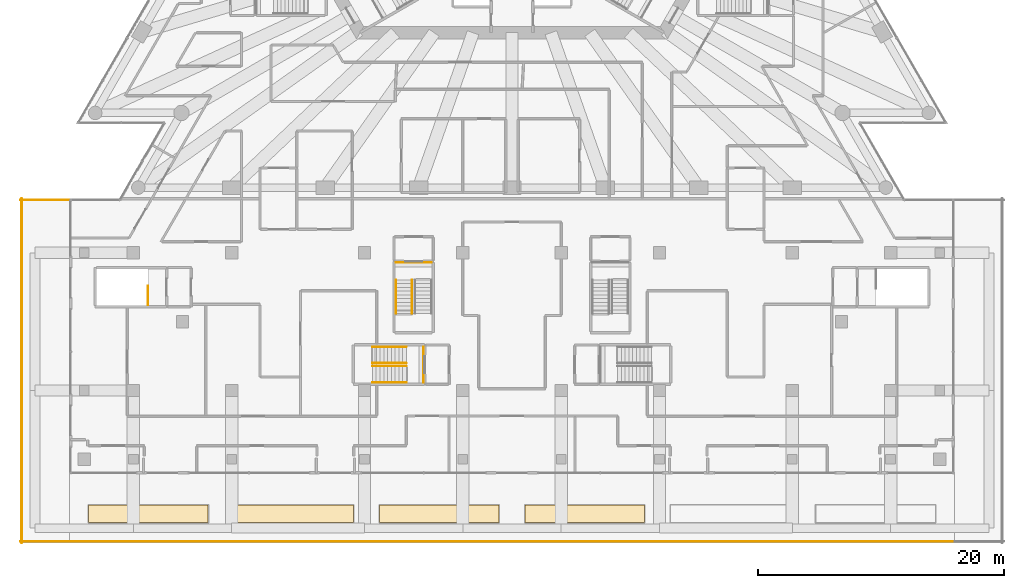
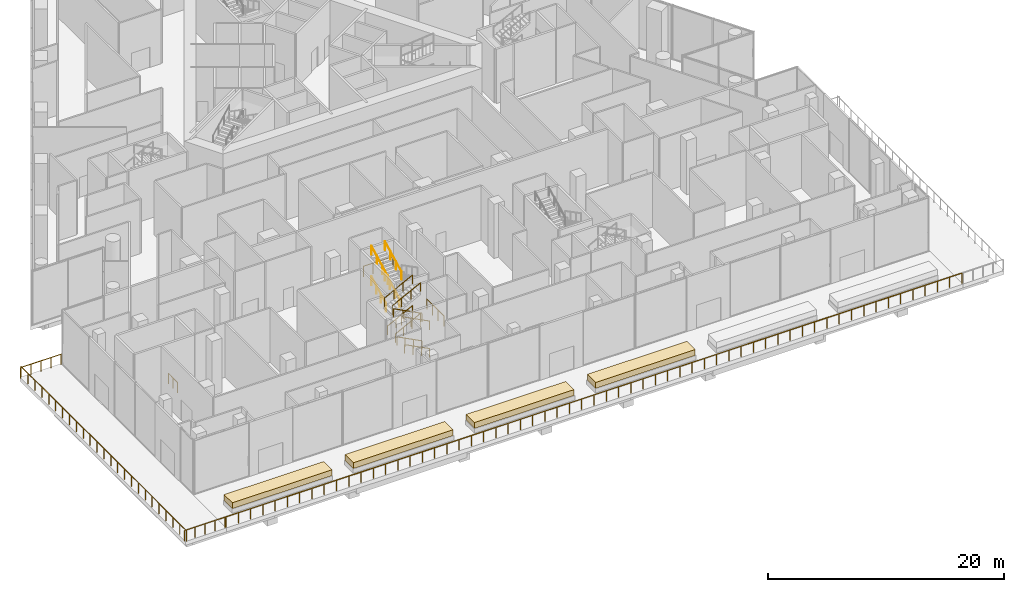
# One storey, part 33 of 36: 19 railings, 4 coverings, 2 elements without a shape of their own.
"""IFC4 building model written with IfcOpenShell, lengths in metres."""

from ifc_helpers import new_model, si_unit, direction, frame, origin, origin_2d, place, context, subcontext, project, spatial, polyline, circle, outline, extrude, material, layer, layer_set, type_object, element, aggregate, save


model = new_model("IFC4")

# Units and contexts
model_context = context("Model", 3, precision=1e-05, world=origin(), true_north=direction((0.0, 1.0)))
body_context = subcontext(model_context, "Body", "Model", "MODEL_VIEW")
ifc_project = project(units=[si_unit("LENGTHUNIT", "METRE"), si_unit("AREAUNIT", "SQUARE_METRE"), si_unit("VOLUMEUNIT", "CUBIC_METRE"), si_unit("PLANEANGLEUNIT", "RADIAN"), si_unit("MASSUNIT", "GRAM", prefix="KILO")], contexts=[model_context])

# Site, building, storey
site_placement = place(None, origin())
site = spatial("IfcSite", under=ifc_project, at=site_placement, CompositionType="ELEMENT")
building_placement = place(site_placement, origin())
building = spatial("IfcBuilding", under=site, at=building_placement, Name="Triada Interchange Tower", CompositionType="ELEMENT")
storey_placement = place(building_placement, frame((0.0, 0.0, 8.5)))
storey = spatial("IfcBuildingStorey", under=building, at=storey_placement, Name="L01", CompositionType="ELEMENT", Elevation=8.5)

# Coverings
ifc_material_1 = material(Name="Planting soil")
ifc_layer = layer(ifc_material_1, 0.60009765625)
ifc_layer_set = layer_set([ifc_layer], Name="Planting bed 600")
covering_type = type_object("IfcCoveringType", Name="Planting bed 600", PredefinedType="FLOORING", material=ifc_layer_set)
covering_1_placement = place(storey_placement, frame((0.0, 0.0, 0.449951171875)))
element("IfcCovering", 1, at=covering_1_placement, inside=storey, type_object=covering_type, Name="Planting bed PLANTER L01 01", PredefinedType="FLOORING", context=body_context, shape_type="SweptSolid", body=[
    extrude(outline(polyline([(-34.449951171875, -48.830078125), (-24.717041015625, -48.830078125), (-24.717041015625, -47.429931640625), (-34.449951171875, -47.429931640625), (-34.449951171875, -48.830078125)])), origin(), (0.0, 0.0, 1.0), 0.60009765625),
])
covering_2_placement = place(storey_placement, frame((0.0, 0.0, 0.449951171875)))
element("IfcCovering", 2, at=covering_2_placement, inside=storey, type_object=covering_type, Name="Planting bed PLANTER L01 02", PredefinedType="FLOORING", context=body_context, shape_type="SweptSolid", body=[
    extrude(outline(polyline([(-22.616943359375, -48.830078125), (-12.883056640625, -48.830078125), (-12.883056640625, -47.429931640625), (-22.616943359375, -47.429931640625), (-22.616943359375, -48.830078125)])), origin(), (0.0, 0.0, 1.0), 0.60009765625),
])
covering_3_placement = place(storey_placement, frame((0.0, 0.0, 0.449951171875)))
element("IfcCovering", 3, at=covering_3_placement, inside=storey, type_object=covering_type, Name="Planting bed PLANTER L01 03", PredefinedType="FLOORING", context=body_context, shape_type="SweptSolid", body=[
    extrude(outline(polyline([(-10.782958984375, -48.830078125), (-1.050048828125, -48.830078125), (-1.050048828125, -47.429931640625), (-10.782958984375, -47.429931640625), (-10.782958984375, -48.830078125)])), origin(), (0.0, 0.0, 1.0), 0.60009765625),
])
covering_4_placement = place(storey_placement, frame((0.0, 0.0, 0.449951171875)))
element("IfcCovering", 4, at=covering_4_placement, inside=storey, type_object=covering_type, Name="Planting bed PLANTER L01 04", PredefinedType="FLOORING", context=body_context, shape_type="SweptSolid", body=[
    extrude(outline(polyline([(1.050048828125, -48.830078125), (10.782958984375, -48.830078125), (10.782958984375, -47.429931640625), (1.050048828125, -47.429931640625), (1.050048828125, -48.830078125)])), origin(), (0.0, 0.0, 1.0), 0.60009765625),
])

# Stair, railing
ifc_material_2 = material(Name="Concrete C35/45", Category="concrete")
stair_type = type_object("IfcStairType", Name="HALF TURN STAIR 1400", PredefinedType="HALF_TURN_STAIR", material=ifc_material_2)
stair_1_placement = place(storey_placement, origin())
stair_1 = element("IfcStair", 5, at=stair_1_placement, inside=storey, type_object=stair_type, Name="Exit stair S01-4", PredefinedType="HALF_TURN_STAIR")
ifc_material_3 = material(Name="Stainless steel 1.4301", Category="steel")
railing_type_1 = type_object("IfcRailingType", Name="STAIR GUARD 1100", PredefinedType="GUARDRAIL", material=ifc_material_3)
railing_1_placement = place(storey_placement, frame((-7.199951171875, -37.449951171875, 2.842041015625)))
railing_1 = element("IfcRailing", 6, at=railing_1_placement, type_object=railing_type_1, Name="Guard S01-4 1", PredefinedType="GUARDRAIL", context=body_context, shape_type="SweptSolid", body=[
    extrude(circle(Radius=0.02392578125, at=origin_2d()), frame((0.0, 0.0, 1.076171875), z_axis=(0.0, 1.0, 0.0), x_axis=(-1.0, 0.0, 0.0)), (0.0, 0.0, 1.0), 2.89990234375),
    extrude(circle(Radius=0.02099609375, at=origin_2d()), origin(), (0.0, 0.0, 1.0), 1.052001953125),
    extrude(circle(Radius=0.02099609375, at=origin_2d()), frame((0.0, 0.966552734375, 0.0)), (0.0, 0.0, 1.0), 1.052001953125),
    extrude(circle(Radius=0.02099609375, at=origin_2d()), frame((0.0, 1.933349609375, 0.0)), (0.0, 0.0, 1.0), 1.052001953125),
    extrude(circle(Radius=0.02099609375, at=origin_2d()), frame((0.0, 2.89990234375, 0.0)), (0.0, 0.0, 1.0), 1.052001953125),
])

stair_2_placement = place(storey_placement, origin())
stair_2 = element("IfcStair", 7, at=stair_2_placement, inside=storey, type_object=stair_type, Name="Exit stair S01-11", PredefinedType="HALF_TURN_STAIR")
railing_2_placement = place(storey_placement, frame((-6.550048828125, -27.699951171875, 2.842041015625)))
railing_2 = element("IfcRailing", 8, at=railing_2_placement, type_object=railing_type_1, Name="Guard S01-11 1", PredefinedType="GUARDRAIL", context=body_context, shape_type="SweptSolid", body=[
    extrude(circle(Radius=0.02392578125, at=origin_2d()), frame((0.0, 0.0, 1.076171875), z_axis=(-1.0, 0.0, 0.0), x_axis=(0.0, -1.0, 0.0)), (0.0, 0.0, 1.0), 2.89990234375),
    extrude(circle(Radius=0.02099609375, at=origin_2d()), origin(), (0.0, 0.0, 1.0), 1.052001953125),
    extrude(circle(Radius=0.02099609375, at=origin_2d()), frame((-0.966552734375, 0.0, 0.0)), (0.0, 0.0, 1.0), 1.052001953125),
    extrude(circle(Radius=0.02099609375, at=origin_2d()), frame((-1.933349609375, 0.0, 0.0)), (0.0, 0.0, 1.0), 1.052001953125),
    extrude(circle(Radius=0.02099609375, at=origin_2d()), frame((-2.89990234375, 0.0, 0.0)), (0.0, 0.0, 1.0), 1.052001953125),
])

# Railing
railing_3_placement = place(storey_placement, frame((-29.60009765625, -31.14990234375, 0.0)))
element("IfcRailing", 9, at=railing_3_placement, inside=storey, type_object=railing_type_1, Name="Guard well PX5 L01", PredefinedType="GUARDRAIL", context=body_context, shape_type="SweptSolid", body=[
    extrude(circle(Radius=0.02392578125, at=origin_2d()), frame((0.0, 0.0, 1.076171875), z_axis=(0.0, 1.0, 0.0), x_axis=(-1.0, 0.0, 0.0)), (0.0, 0.0, 1.0), 1.5498046875),
    extrude(circle(Radius=0.02099609375, at=origin_2d()), origin(), (0.0, 0.0, 1.0), 1.052001953125),
    extrude(circle(Radius=0.02099609375, at=origin_2d()), frame((0.0, 0.77490234375, 0.0)), (0.0, 0.0, 1.0), 1.052001953125),
    extrude(circle(Radius=0.02099609375, at=origin_2d()), frame((0.0, 1.5498046875, 0.0)), (0.0, 0.0, 1.0), 1.052001953125),
])

railing_type_2 = type_object("IfcRailingType", Name="STAIR HANDRAIL 900", PredefinedType="HANDRAIL", material=ifc_material_3)
railing_4_placement = place(storey_placement, frame((-8.60009765625, -37.449951171875, 0.157958984375)))
railing_4 = element("IfcRailing", 10, at=railing_4_placement, type_object=railing_type_2, Name="Handrail S01-4 1W", PredefinedType="HANDRAIL", context=body_context, shape_type="SweptSolid", body=[
    extrude(circle(Radius=0.02392578125, at=origin_2d()), frame((0.0, 0.0, 0.8759765625), z_axis=(-0.888083812785, 0.0, 0.459681565293), x_axis=(0.0, -1.0, 0.0)), (0.0, 0.0, 1.0), 2.747314453125),
    extrude(circle(Radius=0.02099609375, at=origin_2d()), origin(), (0.0, 0.0, 1.0), 0.851806640625),
    extrude(circle(Radius=0.02099609375, at=origin_2d()), frame((-0.813232421875, 0.0, 0.4208984375)), (0.0, 0.0, 1.0), 0.851806640625),
    extrude(circle(Radius=0.02099609375, at=origin_2d()), frame((-1.626708984375, 0.0, 0.842041015625)), (0.0, 0.0, 1.0), 0.851806640625),
    extrude(circle(Radius=0.02099609375, at=origin_2d()), frame((-2.43994140625, 0.0, 1.262939453125)), (0.0, 0.0, 1.0), 0.851806640625),
])

railing_5_placement = place(storey_placement, frame((-8.60009765625, -36.1201171875, 0.157958984375)))
railing_5 = element("IfcRailing", 11, at=railing_5_placement, type_object=railing_type_2, Name="Handrail S01-4 1C", PredefinedType="HANDRAIL", context=body_context, shape_type="SweptSolid", body=[
    extrude(circle(Radius=0.02392578125, at=origin_2d()), frame((0.0, 0.0, 0.8759765625), z_axis=(-0.888083812785, 0.0, 0.459681565293), x_axis=(0.0, -1.0, 0.0)), (0.0, 0.0, 1.0), 2.747314453125),
    extrude(circle(Radius=0.02099609375, at=origin_2d()), origin(), (0.0, 0.0, 1.0), 0.851806640625),
    extrude(circle(Radius=0.02099609375, at=origin_2d()), frame((-0.813232421875, 0.0, 0.4208984375)), (0.0, 0.0, 1.0), 0.851806640625),
    extrude(circle(Radius=0.02099609375, at=origin_2d()), frame((-1.626708984375, 0.0, 0.842041015625)), (0.0, 0.0, 1.0), 0.851806640625),
    extrude(circle(Radius=0.02099609375, at=origin_2d()), frame((-2.43994140625, 0.0, 1.262939453125)), (0.0, 0.0, 1.0), 0.851806640625),
])

railing_6_placement = place(storey_placement, frame((-11.0400390625, -34.550048828125, 1.578857421875)))
railing_6 = element("IfcRailing", 12, at=railing_6_placement, type_object=railing_type_2, Name="Handrail S01-4 2W", PredefinedType="HANDRAIL", context=body_context, shape_type="SweptSolid", body=[
    extrude(circle(Radius=0.02392578125, at=origin_2d()), frame((0.0, 0.0, 0.8759765625), z_axis=(0.888047534979, 0.0, 0.459751645585), x_axis=(0.0, 1.0, 0.0)), (0.0, 0.0, 1.0), 2.74755859375),
    extrude(circle(Radius=0.02099609375, at=origin_2d()), origin(), (0.0, 0.0, 1.0), 0.851806640625),
    extrude(circle(Radius=0.02099609375, at=origin_2d()), frame((0.813232421875, 0.0, 0.421142578125)), (0.0, 0.0, 1.0), 0.851806640625),
    extrude(circle(Radius=0.02099609375, at=origin_2d()), frame((1.626708984375, 0.0, 0.842041015625)), (0.0, 0.0, 1.0), 0.851806640625),
    extrude(circle(Radius=0.02099609375, at=origin_2d()), frame((2.43994140625, 0.0, 1.26318359375)), (0.0, 0.0, 1.0), 0.851806640625),
])

railing_7_placement = place(storey_placement, frame((-11.0400390625, -35.8798828125, 1.578857421875)))
railing_7 = element("IfcRailing", 13, at=railing_7_placement, type_object=railing_type_2, Name="Handrail S01-4 2C", PredefinedType="HANDRAIL", context=body_context, shape_type="SweptSolid", body=[
    extrude(circle(Radius=0.02392578125, at=origin_2d()), frame((0.0, 0.0, 0.8759765625), z_axis=(0.888047534979, 0.0, 0.459751645585), x_axis=(0.0, 1.0, 0.0)), (0.0, 0.0, 1.0), 2.74755859375),
    extrude(circle(Radius=0.02099609375, at=origin_2d()), origin(), (0.0, 0.0, 1.0), 0.851806640625),
    extrude(circle(Radius=0.02099609375, at=origin_2d()), frame((0.813232421875, 0.0, 0.421142578125)), (0.0, 0.0, 1.0), 0.851806640625),
    extrude(circle(Radius=0.02099609375, at=origin_2d()), frame((1.626708984375, 0.0, 0.842041015625)), (0.0, 0.0, 1.0), 0.851806640625),
    extrude(circle(Radius=0.02099609375, at=origin_2d()), frame((2.43994140625, 0.0, 1.26318359375)), (0.0, 0.0, 1.0), 0.851806640625),
])

railing_8_placement = place(storey_placement, frame((-8.60009765625, -37.449951171875, 3.0)))
railing_8 = element("IfcRailing", 14, at=railing_8_placement, type_object=railing_type_2, Name="Handrail S01-4 3W", PredefinedType="HANDRAIL", context=body_context, shape_type="SweptSolid", body=[
    extrude(circle(Radius=0.02392578125, at=origin_2d()), frame((0.0, 0.0, 0.8759765625), z_axis=(-0.888067547299, 0.0, 0.459712988107), x_axis=(0.0, -1.0, 0.0)), (0.0, 0.0, 1.0), 3.0908203125),
    extrude(circle(Radius=0.02099609375, at=origin_2d()), origin(), (0.0, 0.0, 1.0), 0.851806640625),
    extrude(circle(Radius=0.02099609375, at=origin_2d()), frame((-0.9150390625, 0.0, 0.4736328125)), (0.0, 0.0, 1.0), 0.851806640625),
    extrude(circle(Radius=0.02099609375, at=origin_2d()), frame((-1.829833984375, 0.0, 0.947265625)), (0.0, 0.0, 1.0), 0.851806640625),
    extrude(circle(Radius=0.02099609375, at=origin_2d()), frame((-2.744873046875, 0.0, 1.4208984375)), (0.0, 0.0, 1.0), 0.851806640625),
])

railing_9_placement = place(storey_placement, frame((-8.60009765625, -36.1201171875, 3.0)))
railing_9 = element("IfcRailing", 15, at=railing_9_placement, type_object=railing_type_2, Name="Handrail S01-4 3C", PredefinedType="HANDRAIL", context=body_context, shape_type="SweptSolid", body=[
    extrude(circle(Radius=0.02392578125, at=origin_2d()), frame((0.0, 0.0, 0.8759765625), z_axis=(-0.888067547299, 0.0, 0.459712988107), x_axis=(0.0, -1.0, 0.0)), (0.0, 0.0, 1.0), 3.0908203125),
    extrude(circle(Radius=0.02099609375, at=origin_2d()), origin(), (0.0, 0.0, 1.0), 0.851806640625),
    extrude(circle(Radius=0.02099609375, at=origin_2d()), frame((-0.9150390625, 0.0, 0.4736328125)), (0.0, 0.0, 1.0), 0.851806640625),
    extrude(circle(Radius=0.02099609375, at=origin_2d()), frame((-1.829833984375, 0.0, 0.947265625)), (0.0, 0.0, 1.0), 0.851806640625),
    extrude(circle(Radius=0.02099609375, at=origin_2d()), frame((-2.744873046875, 0.0, 1.4208984375)), (0.0, 0.0, 1.0), 0.851806640625),
])

railing_10_placement = place(storey_placement, frame((-11.344970703125, -34.550048828125, 4.578857421875)))
railing_10 = element("IfcRailing", 16, at=railing_10_placement, type_object=railing_type_2, Name="Handrail S01-4 4W", PredefinedType="HANDRAIL", context=body_context, shape_type="SweptSolid", body=[
    extrude(circle(Radius=0.02392578125, at=origin_2d()), frame((0.0, 0.0, 0.8759765625), z_axis=(0.888067547299, 0.0, 0.459712988107), x_axis=(0.0, 1.0, 0.0)), (0.0, 0.0, 1.0), 3.0908203125),
    extrude(circle(Radius=0.02099609375, at=origin_2d()), origin(), (0.0, 0.0, 1.0), 0.851806640625),
    extrude(circle(Radius=0.02099609375, at=origin_2d()), frame((0.9150390625, 0.0, 0.4736328125)), (0.0, 0.0, 1.0), 0.851806640625),
    extrude(circle(Radius=0.02099609375, at=origin_2d()), frame((1.829833984375, 0.0, 0.947265625)), (0.0, 0.0, 1.0), 0.851806640625),
    extrude(circle(Radius=0.02099609375, at=origin_2d()), frame((2.744873046875, 0.0, 1.4208984375)), (0.0, 0.0, 1.0), 0.851806640625),
])

railing_11_placement = place(storey_placement, frame((-11.344970703125, -35.8798828125, 4.578857421875)))
railing_11 = element("IfcRailing", 17, at=railing_11_placement, type_object=railing_type_2, Name="Handrail S01-4 4C", PredefinedType="HANDRAIL", context=body_context, shape_type="SweptSolid", body=[
    extrude(circle(Radius=0.02392578125, at=origin_2d()), frame((0.0, 0.0, 0.8759765625), z_axis=(0.888067547299, 0.0, 0.459712988107), x_axis=(0.0, 1.0, 0.0)), (0.0, 0.0, 1.0), 3.0908203125),
    extrude(circle(Radius=0.02099609375, at=origin_2d()), origin(), (0.0, 0.0, 1.0), 0.851806640625),
    extrude(circle(Radius=0.02099609375, at=origin_2d()), frame((0.9150390625, 0.0, 0.4736328125)), (0.0, 0.0, 1.0), 0.851806640625),
    extrude(circle(Radius=0.02099609375, at=origin_2d()), frame((1.829833984375, 0.0, 0.947265625)), (0.0, 0.0, 1.0), 0.851806640625),
    extrude(circle(Radius=0.02099609375, at=origin_2d()), frame((2.744873046875, 0.0, 1.4208984375)), (0.0, 0.0, 1.0), 0.851806640625),
])

aggregate(stair_1, [railing_4, railing_5, railing_6, railing_7, railing_8, railing_9, railing_10, railing_11, railing_1])

railing_12_placement = place(storey_placement, frame((-9.449951171875, -31.5400390625, 1.578857421875)))
railing_12 = element("IfcRailing", 18, at=railing_12_placement, type_object=railing_type_2, Name="Handrail S01-11 2W", PredefinedType="HANDRAIL", context=body_context, shape_type="SweptSolid", body=[
    extrude(circle(Radius=0.02392578125, at=origin_2d()), frame((0.0, 0.0, 0.8759765625), z_axis=(0.0, 0.888047534979, 0.459751645585), x_axis=(-1.0, 0.0, 0.0)), (0.0, 0.0, 1.0), 2.74755859375),
    extrude(circle(Radius=0.02099609375, at=origin_2d()), origin(), (0.0, 0.0, 1.0), 0.851806640625),
    extrude(circle(Radius=0.02099609375, at=origin_2d()), frame((0.0, 0.813232421875, 0.421142578125)), (0.0, 0.0, 1.0), 0.851806640625),
    extrude(circle(Radius=0.02099609375, at=origin_2d()), frame((0.0, 1.626708984375, 0.842041015625)), (0.0, 0.0, 1.0), 0.851806640625),
    extrude(circle(Radius=0.02099609375, at=origin_2d()), frame((0.0, 2.43994140625, 1.26318359375)), (0.0, 0.0, 1.0), 0.851806640625),
])

railing_13_placement = place(storey_placement, frame((-8.1201171875, -31.5400390625, 1.578857421875)))
railing_13 = element("IfcRailing", 19, at=railing_13_placement, type_object=railing_type_2, Name="Handrail S01-11 2C", PredefinedType="HANDRAIL", context=body_context, shape_type="SweptSolid", body=[
    extrude(circle(Radius=0.02392578125, at=origin_2d()), frame((0.0, 0.0, 0.8759765625), z_axis=(0.0, 0.888047534979, 0.459751645585), x_axis=(-1.0, 0.0, 0.0)), (0.0, 0.0, 1.0), 2.74755859375),
    extrude(circle(Radius=0.02099609375, at=origin_2d()), origin(), (0.0, 0.0, 1.0), 0.851806640625),
    extrude(circle(Radius=0.02099609375, at=origin_2d()), frame((0.0, 0.813232421875, 0.421142578125)), (0.0, 0.0, 1.0), 0.851806640625),
    extrude(circle(Radius=0.02099609375, at=origin_2d()), frame((0.0, 1.626708984375, 0.842041015625)), (0.0, 0.0, 1.0), 0.851806640625),
    extrude(circle(Radius=0.02099609375, at=origin_2d()), frame((0.0, 2.43994140625, 1.26318359375)), (0.0, 0.0, 1.0), 0.851806640625),
])

railing_14_placement = place(storey_placement, frame((-9.449951171875, -31.844970703125, 4.578857421875)))
railing_14 = element("IfcRailing", 20, at=railing_14_placement, type_object=railing_type_2, Name="Handrail S01-11 4W", PredefinedType="HANDRAIL", context=body_context, shape_type="SweptSolid", body=[
    extrude(circle(Radius=0.02392578125, at=origin_2d()), frame((0.0, 0.0, 0.8759765625), z_axis=(0.0, 0.888067547299, 0.459712988107), x_axis=(-1.0, 0.0, 0.0)), (0.0, 0.0, 1.0), 3.0908203125),
    extrude(circle(Radius=0.02099609375, at=origin_2d()), origin(), (0.0, 0.0, 1.0), 0.851806640625),
    extrude(circle(Radius=0.02099609375, at=origin_2d()), frame((0.0, 0.9150390625, 0.4736328125)), (0.0, 0.0, 1.0), 0.851806640625),
    extrude(circle(Radius=0.02099609375, at=origin_2d()), frame((0.0, 1.829833984375, 0.947265625)), (0.0, 0.0, 1.0), 0.851806640625),
    extrude(circle(Radius=0.02099609375, at=origin_2d()), frame((0.0, 2.744873046875, 1.4208984375)), (0.0, 0.0, 1.0), 0.851806640625),
])

railing_15_placement = place(storey_placement, frame((-8.1201171875, -31.844970703125, 4.578857421875)))
railing_15 = element("IfcRailing", 21, at=railing_15_placement, type_object=railing_type_2, Name="Handrail S01-11 4C", PredefinedType="HANDRAIL", context=body_context, shape_type="SweptSolid", body=[
    extrude(circle(Radius=0.02392578125, at=origin_2d()), frame((0.0, 0.0, 0.8759765625), z_axis=(0.0, 0.888067547299, 0.459712988107), x_axis=(-1.0, 0.0, 0.0)), (0.0, 0.0, 1.0), 3.0908203125),
    extrude(circle(Radius=0.02099609375, at=origin_2d()), origin(), (0.0, 0.0, 1.0), 0.851806640625),
    extrude(circle(Radius=0.02099609375, at=origin_2d()), frame((0.0, 0.9150390625, 0.4736328125)), (0.0, 0.0, 1.0), 0.851806640625),
    extrude(circle(Radius=0.02099609375, at=origin_2d()), frame((0.0, 1.829833984375, 0.947265625)), (0.0, 0.0, 1.0), 0.851806640625),
    extrude(circle(Radius=0.02099609375, at=origin_2d()), frame((0.0, 2.744873046875, 1.4208984375)), (0.0, 0.0, 1.0), 0.851806640625),
])

aggregate(stair_2, [railing_12, railing_13, railing_14, railing_15, railing_2])

# Railings
railing_type_3 = type_object("IfcRailingType", Name="Terrace guard 1100", PredefinedType="GUARDRAIL", material=ifc_material_3)
railing_16_placement = place(storey_placement, frame((-40.0, -50.3798828125, 0.0)))
element("IfcRailing", 22, at=railing_16_placement, inside=storey, type_object=railing_type_3, Name="Guard L01 terrace 01", PredefinedType="GUARDRAIL", context=body_context, shape_type="SweptSolid", body=[
    extrude(circle(Radius=0.02392578125, at=origin_2d()), frame((0.0, 0.0, 1.076171875), z_axis=(1.0, 0.0, 0.0), x_axis=(0.0, 1.0, 0.0)), (0.0, 0.0, 1.0), 3.949951171875),
    extrude(circle(Radius=0.02099609375, at=origin_2d()), origin(), (0.0, 0.0, 1.0), 1.052001953125),
    extrude(circle(Radius=0.02099609375, at=origin_2d()), frame((0.987548828125, 0.0, 0.0)), (0.0, 0.0, 1.0), 1.052001953125),
    extrude(circle(Radius=0.02099609375, at=origin_2d()), frame((1.97509765625, 0.0, 0.0)), (0.0, 0.0, 1.0), 1.052001953125),
    extrude(circle(Radius=0.02099609375, at=origin_2d()), frame((2.96240234375, 0.0, 0.0)), (0.0, 0.0, 1.0), 1.052001953125),
    extrude(circle(Radius=0.02099609375, at=origin_2d()), frame((3.949951171875, 0.0, 0.0)), (0.0, 0.0, 1.0), 1.052001953125),
])
railing_17_placement = place(storey_placement, frame((-36.050048828125, -22.6201171875, 0.0)))
element("IfcRailing", 23, at=railing_17_placement, inside=storey, type_object=railing_type_3, Name="Guard L01 terrace 02", PredefinedType="GUARDRAIL", context=body_context, shape_type="SweptSolid", body=[
    extrude(circle(Radius=0.02392578125, at=origin_2d()), frame((0.0, 0.0, 1.076171875), z_axis=(-1.0, 0.0, 0.0), x_axis=(0.0, -1.0, 0.0)), (0.0, 0.0, 1.0), 3.949951171875),
    extrude(circle(Radius=0.02099609375, at=origin_2d()), origin(), (0.0, 0.0, 1.0), 1.052001953125),
    extrude(circle(Radius=0.02099609375, at=origin_2d()), frame((-0.987548828125, 0.0, 0.0)), (0.0, 0.0, 1.0), 1.052001953125),
    extrude(circle(Radius=0.02099609375, at=origin_2d()), frame((-1.97509765625, 0.0, 0.0)), (0.0, 0.0, 1.0), 1.052001953125),
    extrude(circle(Radius=0.02099609375, at=origin_2d()), frame((-2.96240234375, 0.0, 0.0)), (0.0, 0.0, 1.0), 1.052001953125),
    extrude(circle(Radius=0.02099609375, at=origin_2d()), frame((-3.949951171875, 0.0, 0.0)), (0.0, 0.0, 1.0), 1.052001953125),
])
railing_18_placement = place(storey_placement, frame((-39.8798828125, -22.5, 0.0)))
element("IfcRailing", 24, at=railing_18_placement, inside=storey, type_object=railing_type_3, Name="Guard L01 terrace 03", PredefinedType="GUARDRAIL", context=body_context, shape_type="SweptSolid", body=[
    extrude(circle(Radius=0.02392578125, at=origin_2d()), frame((0.0, 0.0, 1.076171875), z_axis=(0.0, -1.0, 0.0), x_axis=(1.0, 0.0, 0.0)), (0.0, 0.0, 1.0), 28.0),
    extrude(circle(Radius=0.02099609375, at=origin_2d()), origin(), (0.0, 0.0, 1.0), 1.052001953125),
    extrude(circle(Radius=0.02099609375, at=origin_2d()), frame((0.0, -1.166748046875, 0.0)), (0.0, 0.0, 1.0), 1.052001953125),
    extrude(circle(Radius=0.02099609375, at=origin_2d()), frame((0.0, -2.333251953125, 0.0)), (0.0, 0.0, 1.0), 1.052001953125),
    extrude(circle(Radius=0.02099609375, at=origin_2d()), frame((0.0, -3.5, 0.0)), (0.0, 0.0, 1.0), 1.052001953125),
    extrude(circle(Radius=0.02099609375, at=origin_2d()), frame((0.0, -4.666748046875, 0.0)), (0.0, 0.0, 1.0), 1.052001953125),
    extrude(circle(Radius=0.02099609375, at=origin_2d()), frame((0.0, -5.833251953125, 0.0)), (0.0, 0.0, 1.0), 1.052001953125),
    extrude(circle(Radius=0.02099609375, at=origin_2d()), frame((0.0, -7.0, 0.0)), (0.0, 0.0, 1.0), 1.052001953125),
    extrude(circle(Radius=0.02099609375, at=origin_2d()), frame((0.0, -8.166748046875, 0.0)), (0.0, 0.0, 1.0), 1.052001953125),
    extrude(circle(Radius=0.02099609375, at=origin_2d()), frame((0.0, -9.333251953125, 0.0)), (0.0, 0.0, 1.0), 1.052001953125),
    extrude(circle(Radius=0.02099609375, at=origin_2d()), frame((0.0, -10.5, 0.0)), (0.0, 0.0, 1.0), 1.052001953125),
    extrude(circle(Radius=0.02099609375, at=origin_2d()), frame((0.0, -11.666748046875, 0.0)), (0.0, 0.0, 1.0), 1.052001953125),
    extrude(circle(Radius=0.02099609375, at=origin_2d()), frame((0.0, -12.833251953125, 0.0)), (0.0, 0.0, 1.0), 1.052001953125),
    extrude(circle(Radius=0.02099609375, at=origin_2d()), frame((0.0, -14.0, 0.0)), (0.0, 0.0, 1.0), 1.052001953125),
    extrude(circle(Radius=0.02099609375, at=origin_2d()), frame((0.0, -15.166748046875, 0.0)), (0.0, 0.0, 1.0), 1.052001953125),
    extrude(circle(Radius=0.02099609375, at=origin_2d()), frame((0.0, -16.333251953125, 0.0)), (0.0, 0.0, 1.0), 1.052001953125),
    extrude(circle(Radius=0.02099609375, at=origin_2d()), frame((0.0, -17.5, 0.0)), (0.0, 0.0, 1.0), 1.052001953125),
    extrude(circle(Radius=0.02099609375, at=origin_2d()), frame((0.0, -18.666748046875, 0.0)), (0.0, 0.0, 1.0), 1.052001953125),
    extrude(circle(Radius=0.02099609375, at=origin_2d()), frame((0.0, -19.833251953125, 0.0)), (0.0, 0.0, 1.0), 1.052001953125),
    extrude(circle(Radius=0.02099609375, at=origin_2d()), frame((0.0, -21.0, 0.0)), (0.0, 0.0, 1.0), 1.052001953125),
    extrude(circle(Radius=0.02099609375, at=origin_2d()), frame((0.0, -22.166748046875, 0.0)), (0.0, 0.0, 1.0), 1.052001953125),
    extrude(circle(Radius=0.02099609375, at=origin_2d()), frame((0.0, -23.333251953125, 0.0)), (0.0, 0.0, 1.0), 1.052001953125),
    extrude(circle(Radius=0.02099609375, at=origin_2d()), frame((0.0, -24.5, 0.0)), (0.0, 0.0, 1.0), 1.052001953125),
    extrude(circle(Radius=0.02099609375, at=origin_2d()), frame((0.0, -25.666748046875, 0.0)), (0.0, 0.0, 1.0), 1.052001953125),
    extrude(circle(Radius=0.02099609375, at=origin_2d()), frame((0.0, -26.833251953125, 0.0)), (0.0, 0.0, 1.0), 1.052001953125),
    extrude(circle(Radius=0.02099609375, at=origin_2d()), frame((0.0, -28.0, 0.0)), (0.0, 0.0, 1.0), 1.052001953125),
])
railing_19_placement = place(storey_placement, frame((-35.949951171875, -50.3798828125, 0.0)))
element("IfcRailing", 25, at=railing_19_placement, inside=storey, type_object=railing_type_3, Name="Guard L01 terrace 07", PredefinedType="GUARDRAIL", context=body_context, shape_type="SweptSolid", body=[
    extrude(circle(Radius=0.02392578125, at=origin_2d()), frame((0.0, 0.0, 1.076171875), z_axis=(1.0, 0.0, 0.0), x_axis=(0.0, 1.0, 0.0)), (0.0, 0.0, 1.0), 71.89990234375),
    extrude(circle(Radius=0.02099609375, at=origin_2d()), origin(), (0.0, 0.0, 1.0), 1.052001953125),
    extrude(circle(Radius=0.02099609375, at=origin_2d()), frame((1.1982421875, 0.0, 0.0)), (0.0, 0.0, 1.0), 1.052001953125),
    extrude(circle(Radius=0.02099609375, at=origin_2d()), frame((2.396728515625, 0.0, 0.0)), (0.0, 0.0, 1.0), 1.052001953125),
    extrude(circle(Radius=0.02099609375, at=origin_2d()), frame((3.594970703125, 0.0, 0.0)), (0.0, 0.0, 1.0), 1.052001953125),
    extrude(circle(Radius=0.02099609375, at=origin_2d()), frame((4.793212890625, 0.0, 0.0)), (0.0, 0.0, 1.0), 1.052001953125),
    extrude(circle(Radius=0.02099609375, at=origin_2d()), frame((5.99169921875, 0.0, 0.0)), (0.0, 0.0, 1.0), 1.052001953125),
    extrude(circle(Radius=0.02099609375, at=origin_2d()), frame((7.18994140625, 0.0, 0.0)), (0.0, 0.0, 1.0), 1.052001953125),
    extrude(circle(Radius=0.02099609375, at=origin_2d()), frame((8.388427734375, 0.0, 0.0)), (0.0, 0.0, 1.0), 1.052001953125),
    extrude(circle(Radius=0.02099609375, at=origin_2d()), frame((9.586669921875, 0.0, 0.0)), (0.0, 0.0, 1.0), 1.052001953125),
    extrude(circle(Radius=0.02099609375, at=origin_2d()), frame((10.784912109375, 0.0, 0.0)), (0.0, 0.0, 1.0), 1.052001953125),
    extrude(circle(Radius=0.02099609375, at=origin_2d()), frame((11.9833984375, 0.0, 0.0)), (0.0, 0.0, 1.0), 1.052001953125),
    extrude(circle(Radius=0.02099609375, at=origin_2d()), frame((13.181640625, 0.0, 0.0)), (0.0, 0.0, 1.0), 1.052001953125),
    extrude(circle(Radius=0.02099609375, at=origin_2d()), frame((14.3798828125, 0.0, 0.0)), (0.0, 0.0, 1.0), 1.052001953125),
    extrude(circle(Radius=0.02099609375, at=origin_2d()), frame((15.578369140625, 0.0, 0.0)), (0.0, 0.0, 1.0), 1.052001953125),
    extrude(circle(Radius=0.02099609375, at=origin_2d()), frame((16.776611328125, 0.0, 0.0)), (0.0, 0.0, 1.0), 1.052001953125),
    extrude(circle(Radius=0.02099609375, at=origin_2d()), frame((17.97509765625, 0.0, 0.0)), (0.0, 0.0, 1.0), 1.052001953125),
    extrude(circle(Radius=0.02099609375, at=origin_2d()), frame((19.17333984375, 0.0, 0.0)), (0.0, 0.0, 1.0), 1.052001953125),
    extrude(circle(Radius=0.02099609375, at=origin_2d()), frame((20.37158203125, 0.0, 0.0)), (0.0, 0.0, 1.0), 1.052001953125),
    extrude(circle(Radius=0.02099609375, at=origin_2d()), frame((21.570068359375, 0.0, 0.0)), (0.0, 0.0, 1.0), 1.052001953125),
    extrude(circle(Radius=0.02099609375, at=origin_2d()), frame((22.768310546875, 0.0, 0.0)), (0.0, 0.0, 1.0), 1.052001953125),
    extrude(circle(Radius=0.02099609375, at=origin_2d()), frame((23.966552734375, 0.0, 0.0)), (0.0, 0.0, 1.0), 1.052001953125),
    extrude(circle(Radius=0.02099609375, at=origin_2d()), frame((25.1650390625, 0.0, 0.0)), (0.0, 0.0, 1.0), 1.052001953125),
    extrude(circle(Radius=0.02099609375, at=origin_2d()), frame((26.36328125, 0.0, 0.0)), (0.0, 0.0, 1.0), 1.052001953125),
    extrude(circle(Radius=0.02099609375, at=origin_2d()), frame((27.5615234375, 0.0, 0.0)), (0.0, 0.0, 1.0), 1.052001953125),
    extrude(circle(Radius=0.02099609375, at=origin_2d()), frame((28.760009765625, 0.0, 0.0)), (0.0, 0.0, 1.0), 1.052001953125),
    extrude(circle(Radius=0.02099609375, at=origin_2d()), frame((29.958251953125, 0.0, 0.0)), (0.0, 0.0, 1.0), 1.052001953125),
    extrude(circle(Radius=0.02099609375, at=origin_2d()), frame((31.15673828125, 0.0, 0.0)), (0.0, 0.0, 1.0), 1.052001953125),
    extrude(circle(Radius=0.02099609375, at=origin_2d()), frame((32.35498046875, 0.0, 0.0)), (0.0, 0.0, 1.0), 1.052001953125),
    extrude(circle(Radius=0.02099609375, at=origin_2d()), frame((33.55322265625, 0.0, 0.0)), (0.0, 0.0, 1.0), 1.052001953125),
    extrude(circle(Radius=0.02099609375, at=origin_2d()), frame((34.751708984375, 0.0, 0.0)), (0.0, 0.0, 1.0), 1.052001953125),
    extrude(circle(Radius=0.02099609375, at=origin_2d()), frame((35.949951171875, 0.0, 0.0)), (0.0, 0.0, 1.0), 1.052001953125),
    extrude(circle(Radius=0.02099609375, at=origin_2d()), frame((37.148193359375, 0.0, 0.0)), (0.0, 0.0, 1.0), 1.052001953125),
    extrude(circle(Radius=0.02099609375, at=origin_2d()), frame((38.3466796875, 0.0, 0.0)), (0.0, 0.0, 1.0), 1.052001953125),
    extrude(circle(Radius=0.02099609375, at=origin_2d()), frame((39.544921875, 0.0, 0.0)), (0.0, 0.0, 1.0), 1.052001953125),
    extrude(circle(Radius=0.02099609375, at=origin_2d()), frame((40.7431640625, 0.0, 0.0)), (0.0, 0.0, 1.0), 1.052001953125),
    extrude(circle(Radius=0.02099609375, at=origin_2d()), frame((41.941650390625, 0.0, 0.0)), (0.0, 0.0, 1.0), 1.052001953125),
    extrude(circle(Radius=0.02099609375, at=origin_2d()), frame((43.139892578125, 0.0, 0.0)), (0.0, 0.0, 1.0), 1.052001953125),
    extrude(circle(Radius=0.02099609375, at=origin_2d()), frame((44.33837890625, 0.0, 0.0)), (0.0, 0.0, 1.0), 1.052001953125),
    extrude(circle(Radius=0.02099609375, at=origin_2d()), frame((45.53662109375, 0.0, 0.0)), (0.0, 0.0, 1.0), 1.052001953125),
    extrude(circle(Radius=0.02099609375, at=origin_2d()), frame((46.73486328125, 0.0, 0.0)), (0.0, 0.0, 1.0), 1.052001953125),
    extrude(circle(Radius=0.02099609375, at=origin_2d()), frame((47.933349609375, 0.0, 0.0)), (0.0, 0.0, 1.0), 1.052001953125),
    extrude(circle(Radius=0.02099609375, at=origin_2d()), frame((49.131591796875, 0.0, 0.0)), (0.0, 0.0, 1.0), 1.052001953125),
    extrude(circle(Radius=0.02099609375, at=origin_2d()), frame((50.329833984375, 0.0, 0.0)), (0.0, 0.0, 1.0), 1.052001953125),
    extrude(circle(Radius=0.02099609375, at=origin_2d()), frame((51.5283203125, 0.0, 0.0)), (0.0, 0.0, 1.0), 1.052001953125),
    extrude(circle(Radius=0.02099609375, at=origin_2d()), frame((52.7265625, 0.0, 0.0)), (0.0, 0.0, 1.0), 1.052001953125),
    extrude(circle(Radius=0.02099609375, at=origin_2d()), frame((53.9248046875, 0.0, 0.0)), (0.0, 0.0, 1.0), 1.052001953125),
    extrude(circle(Radius=0.02099609375, at=origin_2d()), frame((55.123291015625, 0.0, 0.0)), (0.0, 0.0, 1.0), 1.052001953125),
    extrude(circle(Radius=0.02099609375, at=origin_2d()), frame((56.321533203125, 0.0, 0.0)), (0.0, 0.0, 1.0), 1.052001953125),
    extrude(circle(Radius=0.02099609375, at=origin_2d()), frame((57.52001953125, 0.0, 0.0)), (0.0, 0.0, 1.0), 1.052001953125),
    extrude(circle(Radius=0.02099609375, at=origin_2d()), frame((58.71826171875, 0.0, 0.0)), (0.0, 0.0, 1.0), 1.052001953125),
    extrude(circle(Radius=0.02099609375, at=origin_2d()), frame((59.91650390625, 0.0, 0.0)), (0.0, 0.0, 1.0), 1.052001953125),
    extrude(circle(Radius=0.02099609375, at=origin_2d()), frame((61.114990234375, 0.0, 0.0)), (0.0, 0.0, 1.0), 1.052001953125),
    extrude(circle(Radius=0.02099609375, at=origin_2d()), frame((62.313232421875, 0.0, 0.0)), (0.0, 0.0, 1.0), 1.052001953125),
    extrude(circle(Radius=0.02099609375, at=origin_2d()), frame((63.511474609375, 0.0, 0.0)), (0.0, 0.0, 1.0), 1.052001953125),
    extrude(circle(Radius=0.02099609375, at=origin_2d()), frame((64.7099609375, 0.0, 0.0)), (0.0, 0.0, 1.0), 1.052001953125),
    extrude(circle(Radius=0.02099609375, at=origin_2d()), frame((65.908203125, 0.0, 0.0)), (0.0, 0.0, 1.0), 1.052001953125),
    extrude(circle(Radius=0.02099609375, at=origin_2d()), frame((67.106689453125, 0.0, 0.0)), (0.0, 0.0, 1.0), 1.052001953125),
    extrude(circle(Radius=0.02099609375, at=origin_2d()), frame((68.304931640625, 0.0, 0.0)), (0.0, 0.0, 1.0), 1.052001953125),
    extrude(circle(Radius=0.02099609375, at=origin_2d()), frame((69.503173828125, 0.0, 0.0)), (0.0, 0.0, 1.0), 1.052001953125),
    extrude(circle(Radius=0.02099609375, at=origin_2d()), frame((70.70166015625, 0.0, 0.0)), (0.0, 0.0, 1.0), 1.052001953125),
    extrude(circle(Radius=0.02099609375, at=origin_2d()), frame((71.89990234375, 0.0, 0.0)), (0.0, 0.0, 1.0), 1.052001953125),
])

save(model, "model.ifc")
